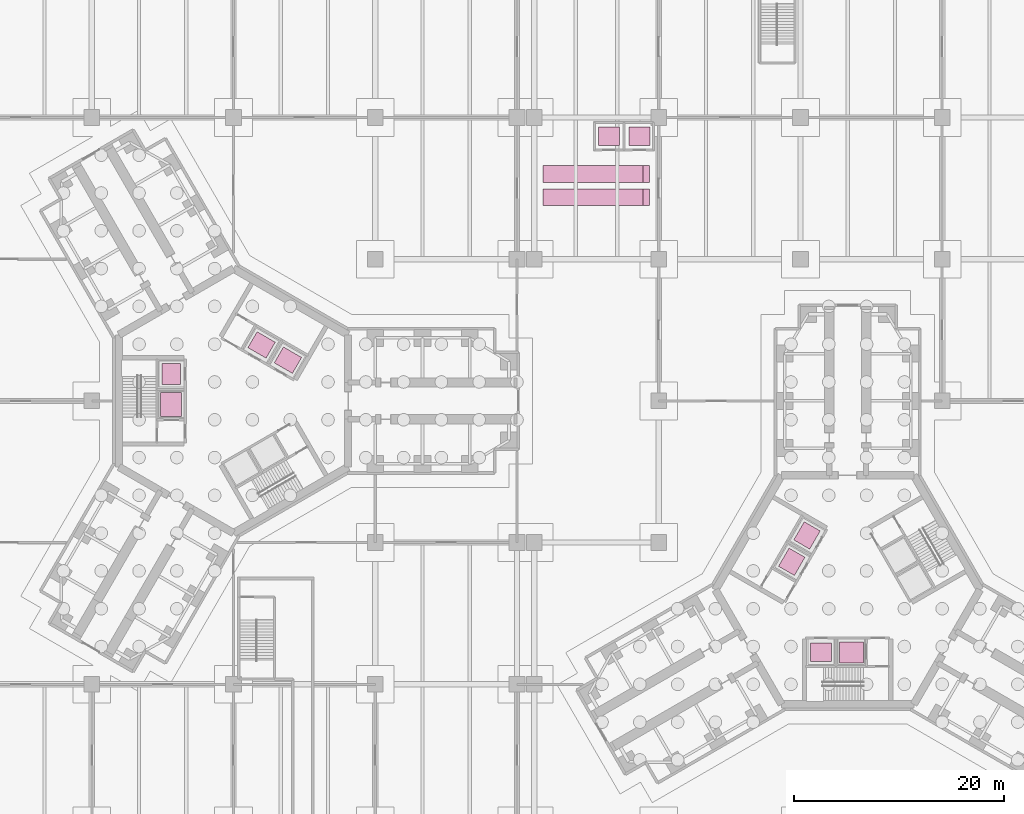
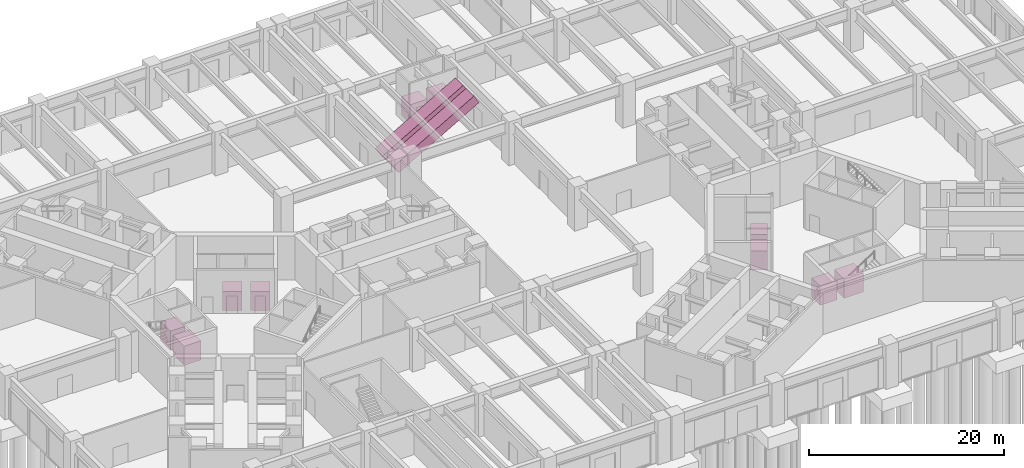
# One storey, part 18 of 18: 12 transport elements.
"""IFC4 building model written with IfcOpenShell, lengths in metres."""

from ifc_helpers import new_model, si_unit, direction, frame, origin, origin_2d, place, context, subcontext, project, spatial, polyline, rectangle, outline, extrude, material, type_object, element, save


model = new_model("IFC4")

# Units and contexts
model_context = context("Model", 3, precision=1e-05, world=origin(), true_north=direction((0.0, 1.0)))
body_context = subcontext(model_context, "Body", "Model", "MODEL_VIEW")
ifc_project = project(units=[si_unit("LENGTHUNIT", "METRE"), si_unit("AREAUNIT", "SQUARE_METRE"), si_unit("VOLUMEUNIT", "CUBIC_METRE"), si_unit("PLANEANGLEUNIT", "RADIAN"), si_unit("MASSUNIT", "GRAM", prefix="KILO")], contexts=[model_context])

# Site, building, storey
site_placement = place(None, origin())
site = spatial("IfcSite", under=ifc_project, at=site_placement, CompositionType="ELEMENT")
building_placement = place(site_placement, origin())
building = spatial("IfcBuilding", under=site, at=building_placement, Name="Upepo Twin Towers", CompositionType="ELEMENT")
storey_placement = place(building_placement, origin())
storey = spatial("IfcBuildingStorey", under=building, at=storey_placement, Name="L00", CompositionType="ELEMENT", Elevation=0.0)

# Transport elements
ifc_material_1 = material(Name="Steel escalator truss", Category="steel")
transport_element_type_1 = type_object("IfcTransportElementType", Name="Escalator 1000 step, 30 degrees", PredefinedType="ESCALATOR", material=ifc_material_1)
for number, where, z_axis, x_axis, name in (
    (1, (29.4736328125, 18.60009765625, 0.0), (-0.49918023077, 0.0, 0.86649818073), (0.86649818073, 0.0, 0.49918023077), "Escalator L00 1.1"),
    (2, (29.4736328125, 20.800048828125, 0.0), (-0.49918023077, 0.0, 0.86649818073), (0.86649818073, 0.0, 0.49918023077), "Escalator L00 1.2"),
):
    element("IfcTransportElement", number, at=place(storey_placement, frame(where, z_axis=z_axis, x_axis=x_axis)), inside=storey, type_object=transport_element_type_1, Name=name, PredefinedType="ESCALATOR", context=body_context, shape_type="SweptSolid", body=[
        extrude(outline(polyline([(0.0, 0.0), (10.994099467666908, 0.0), (10.994099467666908, 1.599853515625), (0.0, 1.599853515625), (0.0, 0.0)])), origin(), (0.0, 0.0, -1.0), 1.199951171875),
    ])
ifc_material_2 = material(Name="Steel lift car", Category="steel")
transport_element_type_2 = type_object("IfcTransportElementType", Name="Firefighting lift 1800 kg", PredefinedType="ELEVATOR", material=ifc_material_2)
for number, where, z_axis, x_axis, name in (
    (3, (-5.949951171875, -0.35009765625, 0.0), (0.0, 0.0, 1.0), (1.0, 0.0, 0.0), "T1 lift FL1"),
    (4, (58.85009765625, -23.949951171875, 0.0), (0.0, 0.0, 1.0), (0.0, 1.0, 0.0), "T2 lift FL1"),
):
    element("IfcTransportElement", number, at=place(storey_placement, frame(where, z_axis=z_axis, x_axis=x_axis)), inside=storey, type_object=transport_element_type_2, Name=name, PredefinedType="ELEVATOR", context=body_context, shape_type="SweptSolid", body=[
        extrude(rectangle(XDim=2.0, YDim=2.300048828125, at=origin_2d()), origin(), (0.0, 0.0, 1.0), 2.39990234375),
    ])
ifc_material_3 = material(Name="Steel lift car", Category="steel")
transport_element_type_3 = type_object("IfcTransportElementType", Name="Passenger lift 1600 kg", PredefinedType="ELEVATOR", material=ifc_material_3)
for number, where, z_axis, x_axis, name in (
    (5, (-5.949951171875, 2.550048828125, 0.0), (0.0, 0.0, 1.0), (0.0, 1.0, 0.0), "T1 lift SV1"),
    (6, (5.183349609375, 3.8779296875, 0.0), (0.0, 0.0, 1.0), (-0.866025403784, 0.5, 0.0), "T1 lift EX1"),
    (7, (2.671875, 5.327880859375, 0.0), (0.0, 0.0, 1.0), (-0.866025403784, 0.5, 0.0), "T1 lift EX2"),
    (8, (55.949951171875, -23.949951171875, 0.0), (0.0, 0.0, 1.0), (1.0, 0.0, 0.0), "T2 lift SV1"),
    (9, (54.6220703125, -12.816650390625, 0.0), (0.0, 0.0, 1.0), (0.5, 0.866025403784, 0.0), "T2 lift EX1"),
    (10, (53.172119140625, -15.328125, 0.0), (0.0, 0.0, 1.0), (0.5, 0.866025403784, 0.0), "T2 lift EX2"),
    (11, (38.64990234375, 25.199951171875, 0.0), (0.0, 0.0, 1.0), (1.0, 0.0, 0.0), "Podium lift PL1"),
    (12, (35.75, 25.199951171875, 0.0), (0.0, 0.0, 1.0), (1.0, 0.0, 0.0), "Podium lift PL2"),
):
    element("IfcTransportElement", number, at=place(storey_placement, frame(where, z_axis=z_axis, x_axis=x_axis)), inside=storey, type_object=transport_element_type_3, Name=name, PredefinedType="ELEVATOR", context=body_context, shape_type="SweptSolid", body=[
        extrude(rectangle(XDim=2.0, YDim=1.75, at=origin_2d()), origin(), (0.0, 0.0, 1.0), 2.39990234375),
    ])

save(model, "model.ifc")
